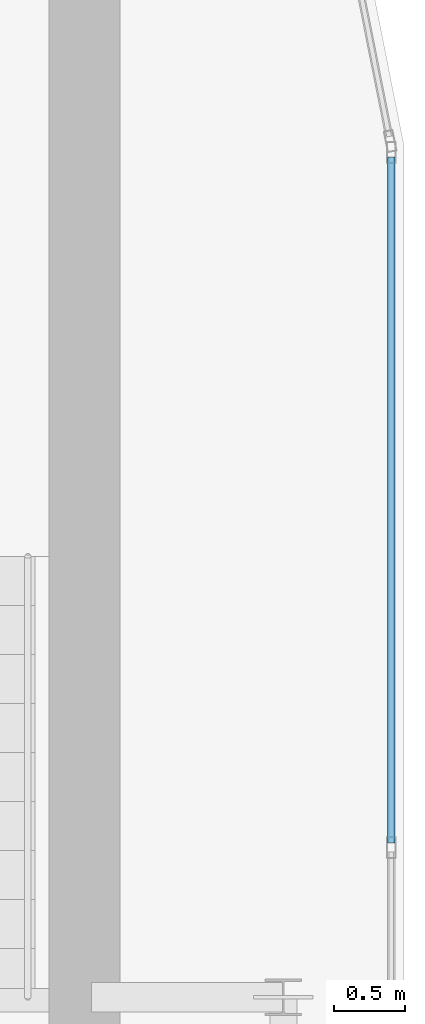
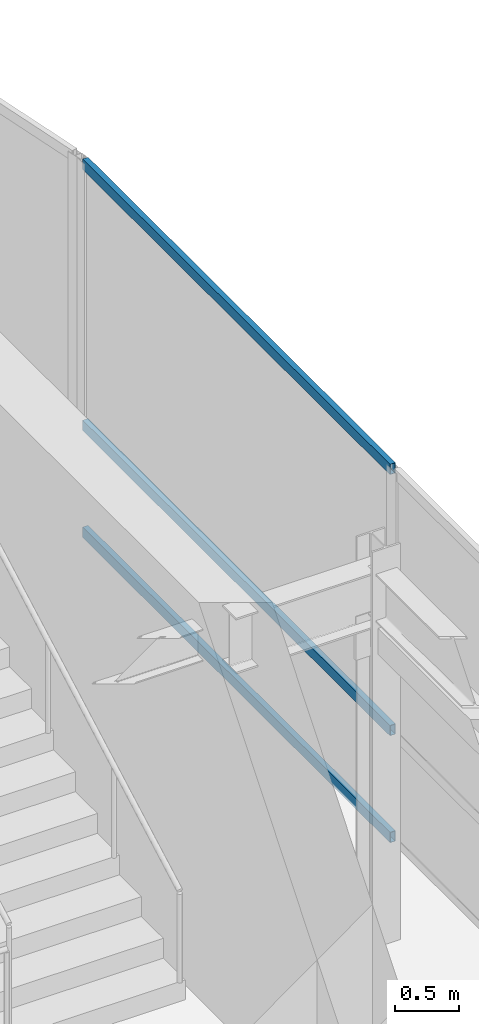
# One storey, part 25 of 36: 3 members, 1 element without a shape of its own.
"""IFC4 building model written with IfcOpenShell, lengths in metres."""

from ifc_helpers import new_model, si_unit, direction, frame, origin, origin_2d, place, context, subcontext, project, spatial, hollow_rectangle, extrude, source, transform, mapped, material, layer, layer_set, material_profile, profile_set, type_object, type_shapes, element, aggregate, save


model = new_model("IFC4")

# Units and contexts
model_context = context("Model", 3, precision=1e-05, world=origin(), true_north=direction((0.0, 1.0)))
body_context = subcontext(model_context, "Body", "Model", "MODEL_VIEW")
ifc_project = project(units=[si_unit("LENGTHUNIT", "METRE"), si_unit("AREAUNIT", "SQUARE_METRE"), si_unit("VOLUMEUNIT", "CUBIC_METRE"), si_unit("PLANEANGLEUNIT", "RADIAN"), si_unit("MASSUNIT", "GRAM", prefix="KILO")], contexts=[model_context])

# Site, building, storey
site_placement = place(None, origin())
site = spatial("IfcSite", under=ifc_project, at=site_placement, CompositionType="ELEMENT")
building_placement = place(site_placement, origin())
building = spatial("IfcBuilding", under=site, at=building_placement, Name="Tolvann Quenvar Hotel", CompositionType="ELEMENT")
storey_placement = place(building_placement, frame((0.0, 0.0, 294.75)))
storey = spatial("IfcBuildingStorey", under=building, at=storey_placement, Name="L78", CompositionType="ELEMENT", Elevation=294.75)

# Curtain wall, members
ifc_material_1 = material(Name="Thermally broken anodised architectural aluminium 6063-T6 and laminated low-E glass", Category="aluminium")
ifc_layer = layer(ifc_material_1, 0.179931640625)
ifc_layer_set = layer_set([ifc_layer], Name="Thermally broken anodised architectural aluminium 6063-T6 and laminated low-E glass")
curtain_wall_type = type_object("IfcCurtainWallType", Name="CW_SYS_LANT_06", PredefinedType="USERDEFINED", material=ifc_layer_set)
curtain_wall_placement = place(storey_placement, origin())
curtain_wall = element("IfcCurtainWall", 1, at=curtain_wall_placement, inside=storey, type_object=curtain_wall_type, Name="Curtain Wall CW-LANT-06 (CWR-L78-E09)", ObjectType="UNITISED CURTAIN WALL", PredefinedType="USERDEFINED")
ifc_material_2 = material(Name="Anodised architectural aluminium 6063-T6 framing", Category="aluminium")
ifc_material_profile = material_profile(ifc_material_2, hollow_rectangle(XDim=0.050048828125, YDim=0.10009765625, WallThickness=0.0029296875, at=origin_2d()), Name="100x50x3RHS")
ifc_profile_set = profile_set([ifc_material_profile], Name="Anodised architectural aluminium 6063-T6 framing")
member_type = type_object("IfcMemberType", Name="CW_TRAN_100x50", PredefinedType="USERDEFINED", material=ifc_profile_set)
shared_shape = source(origin(), body_context, "Body", "SweptSolid", [
    extrude(hollow_rectangle(XDim=0.050048828125, YDim=0.10009765625, WallThickness=0.0029296875, at=origin_2d()), origin(), (0.0, 0.0, 1.0), 4.830078125),
])
type_shapes(member_type, [shared_shape])
member_1_placement = place(storey_placement, frame((37.909912109375, 35.087646484375, 0.02490234375), z_axis=(0.0, 1.0, 0.0), x_axis=(-1.0, 0.0, 0.0)))
member_1 = element("IfcMember", 2, at=member_1_placement, type_object=member_type, Name="CW-LANT-06 transom 6.1", ObjectType="TRANSOM", PredefinedType="USERDEFINED", context=body_context, shape_type="MappedRepresentation", body=[
    mapped(shared_shape, transform((0.0, 0.0, 0.0), x_axis=(1.0, 0.0, 0.0), y_axis=(0.0, 1.0, 0.0), z_axis=(0.0, 0.0, 1.0), scale=1.0)),
])
member_2_placement = place(storey_placement, frame((37.909912109375, 35.087646484375, 1.050048828125), z_axis=(0.0, 1.0, 0.0), x_axis=(-1.0, 0.0, 0.0)))
member_2 = element("IfcMember", 3, at=member_2_placement, type_object=member_type, Name="CW-LANT-06 transom 6.2", ObjectType="TRANSOM", PredefinedType="USERDEFINED", context=body_context, shape_type="MappedRepresentation", body=[
    mapped(shared_shape, transform((0.0, 0.0, 0.0), x_axis=(1.0, 0.0, 0.0), y_axis=(0.0, 1.0, 0.0), z_axis=(0.0, 0.0, 1.0), scale=1.0)),
])
member_3_placement = place(storey_placement, frame((37.909912109375, 35.087646484375, 3.554931640625), z_axis=(0.0, 1.0, 0.0), x_axis=(-1.0, 0.0, 0.0)))
member_3 = element("IfcMember", 4, at=member_3_placement, type_object=member_type, Name="CW-LANT-06 transom 6.3", ObjectType="TRANSOM", PredefinedType="USERDEFINED", context=body_context, shape_type="MappedRepresentation", body=[
    mapped(shared_shape, transform((0.0, 0.0, 0.0), x_axis=(1.0, 0.0, 0.0), y_axis=(0.0, 1.0, 0.0), z_axis=(0.0, 0.0, 1.0), scale=1.0)),
])
aggregate(curtain_wall, [member_1, member_2, member_3])

save(model, "model.ifc")
